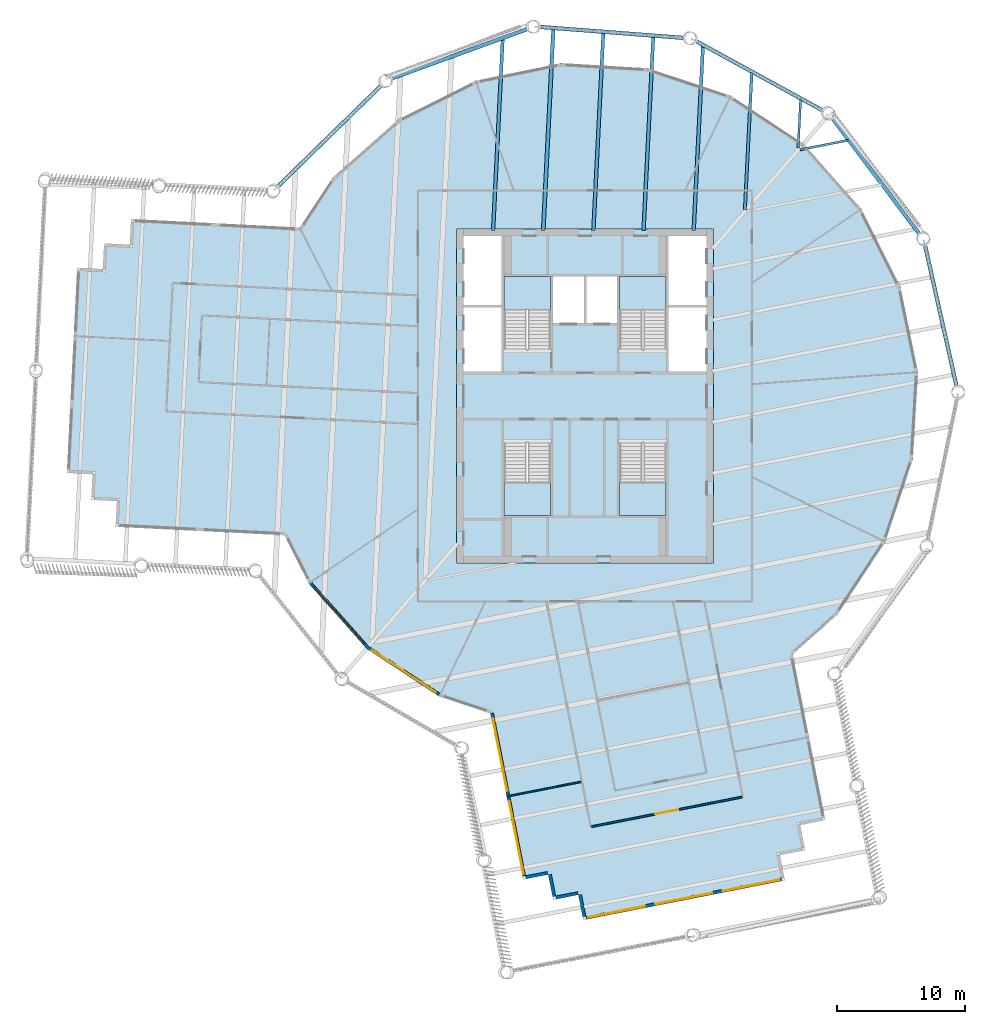
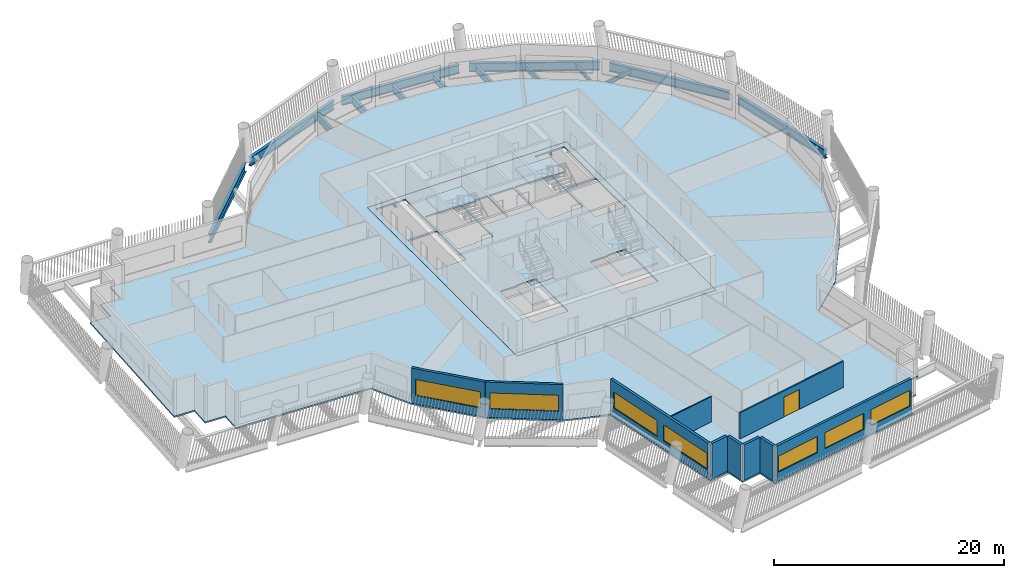
# One storey, part 2 of 14: 14 beams, 10 walls, 7 windows, 6 slabs, 1 door, 8 openings, 4 elements without a shape of their own.
"""IFC4 building model written with IfcOpenShell, lengths in metres."""

import ifcopenshell
import ifcopenshell.guid

model = None  # the IFC model being written
_history = None  # IfcOwnerHistory: only IFC2X3 demands one
_inside = {}  # id of a spatial element -> (the spatial element, [elements in it])
_under = {}  # id of a project, library or spatial element -> (it, [spatial elements below it])
_declared = {}  # id of a project -> (the project, [libraries it declares])
_typed = {}  # id of a type object -> (the type object, [elements of that type])
_made_of = {}  # id of a material, layer set ... -> (it, [elements and type objects made of it])


def new_model(schema):
    """Start an empty IFC model of exactly this schema.

    Asked for "IFC4X3", IfcOpenShell would pick the latest addendum, in which some entities
    have other attributes; the version numbers below select the first issue.
    IFC2X3 requires an IfcOwnerHistory on every rooted entity: one is made here for all.
    """
    global model, _history
    if schema == "IFC4X3":
        model = ifcopenshell.file(schema_version=(4, 3, 0, 0))
    else:
        model = ifcopenshell.file(schema=schema)
    _inside.clear()
    _under.clear()
    _declared.clear()
    _typed.clear()
    _made_of.clear()
    _history = None
    if model.schema == "IFC2X3":
        org = make("IfcOrganization", Name="unknown")
        user = make(
            "IfcPersonAndOrganization",
            ThePerson=make("IfcPerson", FamilyName="unknown"),
            TheOrganization=org,
        )
        app = make(
            "IfcApplication",
            ApplicationDeveloper=org,
            Version="unknown",
            ApplicationFullName="unknown",
            ApplicationIdentifier="unknown",
        )
        _history = make(
            "IfcOwnerHistory",
            OwningUser=user,
            OwningApplication=app,
            ChangeAction="ADDED",
            CreationDate=0,
        )
    return model


def make(cls, **values):
    """One entity of the class cls with the attributes given. An attribute that is None is left unset."""
    return model.create_entity(
        cls, **{name: value for name, value in values.items() if value is not None}
    )


def rooted(cls, **values):
    """An entity with a GlobalId (a new one), such as an element, a storey or a relation."""
    return make(cls, GlobalId=ifcopenshell.guid.new(), OwnerHistory=_history, **values)


def si_unit(unit_type, name, prefix=None):
    """IfcSIUnit, for example si_unit("LENGTHUNIT", "METRE", prefix="MILLI")."""
    return make("IfcSIUnit", UnitType=unit_type, Prefix=prefix, Name=name)


def assignment(units):
    """IfcUnitAssignment: the units of a project."""
    return None if units is None else make("IfcUnitAssignment", Units=units)


def point(xyz):
    """IfcCartesianPoint."""
    return None if xyz is None else make("IfcCartesianPoint", Coordinates=xyz)


def direction(xyz):
    """IfcDirection."""
    return None if xyz is None else make("IfcDirection", DirectionRatios=xyz)


def frame(location, z_axis=None, x_axis=None):
    """IfcAxis2Placement3D, a coordinate frame: its origin and axes. An axis left out is left unset."""
    return make(
        "IfcAxis2Placement3D",
        Location=point(location),
        Axis=direction(z_axis),
        RefDirection=direction(x_axis),
    )


def frame_2d(location, x_axis=None):
    """IfcAxis2Placement2D, a coordinate frame in the plane: its origin and x axis."""
    return make(
        "IfcAxis2Placement2D", Location=point(location), RefDirection=direction(x_axis)
    )


def origin():
    """The frame at (0, 0, 0) with its axes left unset."""
    return frame((0.0, 0.0, 0.0))


def origin_2d():
    """The frame at (0, 0) in the plane with its x axis left unset."""
    return frame_2d((0.0, 0.0))


def place(relative_to, where):
    """IfcLocalPlacement: puts the frame where relative to a parent placement (None: the world)."""
    return make(
        "IfcLocalPlacement", PlacementRelTo=relative_to, RelativePlacement=where
    )


def context(
    kind, dimensions, precision=None, world=None, true_north=None, identifier=None
):
    """IfcGeometricRepresentationContext, for example the 3D "Model" context."""
    return make(
        "IfcGeometricRepresentationContext",
        ContextIdentifier=identifier,
        ContextType=kind,
        CoordinateSpaceDimension=dimensions,
        Precision=precision,
        WorldCoordinateSystem=world,
        TrueNorth=true_north,
    )


def subcontext(parent, identifier, kind, view, scale=None):
    """IfcGeometricRepresentationSubContext, for example "Body" below "Model"."""
    return make(
        "IfcGeometricRepresentationSubContext",
        ContextIdentifier=identifier,
        ContextType=kind,
        ParentContext=parent,
        TargetScale=scale,
        TargetView=view,
    )


def project(units=None, contexts=None):
    """IfcProject with its units and contexts."""
    return rooted(
        "IfcProject",
        Name="project",
        RepresentationContexts=contexts,
        UnitsInContext=assignment(units),
    )


def spatial(cls, under=None, at=None, **own):
    """A site, building, storey or space (cls), placed at a placement, below another one or the project."""
    s = rooted(cls, ObjectPlacement=at, **own)
    if under is not None:
        _under.setdefault(under.id(), (under, []))[1].append(s)
    return s


def polyline(points):
    """IfcPolyline through the points."""
    return make("IfcPolyline", Points=[point(p) for p in points])


def profile(cls, at=None, kind="AREA", **sizes):
    """A parametric profile (cls). Its sizes go by their IFC names, for example OverallWidth=200.0."""
    return make(cls, ProfileType=kind, Position=at, **sizes)


def rectangle(**sizes):
    """IfcRectangleProfileDef."""
    return profile("IfcRectangleProfileDef", **sizes)


def i_section(**sizes):
    """IfcIShapeProfileDef."""
    return profile("IfcIShapeProfileDef", **sizes)


def outline(outer, holes=None, kind="AREA"):
    """IfcArbitraryClosedProfileDef: a profile drawn as a closed curve; with holes, ...WithVoids."""
    if holes is None:
        return make("IfcArbitraryClosedProfileDef", ProfileType=kind, OuterCurve=outer)
    return make(
        "IfcArbitraryProfileDefWithVoids",
        ProfileType=kind,
        OuterCurve=outer,
        InnerCurves=holes,
    )


def extrude(swept, where, along, depth):
    """IfcExtrudedAreaSolid: the profile swept, set in the frame where, extruded along a direction by depth."""
    return make(
        "IfcExtrudedAreaSolid",
        SweptArea=swept,
        Position=where,
        ExtrudedDirection=direction(along),
        Depth=depth,
    )


def shape(context_of_items, identifier, shape_type, items):
    """IfcShapeRepresentation: the items that make up one representation, for example the "Body"."""
    return make(
        "IfcShapeRepresentation",
        ContextOfItems=context_of_items,
        RepresentationIdentifier=identifier,
        RepresentationType=shape_type,
        Items=items,
    )


def material(Name=None, Category=None):
    """IfcMaterial."""
    return make("IfcMaterial", Name=Name, Category=Category)


def layer(
    of_material, thickness, ventilated=None, Name=None, Category=None, Priority=None
):
    """IfcMaterialLayer: one layer of a wall or slab, of a material (None: an air gap)."""
    return make(
        "IfcMaterialLayer",
        Material=of_material,
        LayerThickness=thickness,
        IsVentilated=ventilated,
        Name=Name,
        Category=Category,
        Priority=Priority,
    )


def layer_set(layers, Name=None):
    """IfcMaterialLayerSet."""
    return make("IfcMaterialLayerSet", MaterialLayers=layers, LayerSetName=Name)


def material_profile(
    of_material, cross_section, Name=None, Category=None, Priority=None
):
    """IfcMaterialProfile: a cross section and its material."""
    return make(
        "IfcMaterialProfile",
        Name=Name,
        Material=of_material,
        Profile=cross_section,
        Priority=Priority,
        Category=Category,
    )


def profile_set(profiles, Name=None, composite=None):
    """IfcMaterialProfileSet."""
    return make(
        "IfcMaterialProfileSet",
        Name=Name,
        MaterialProfiles=profiles,
        CompositeProfile=composite,
    )


def made_of(thing, what):
    """Note that an element or type object is made of a material, layer set ...; save() writes the relation."""
    if what is not None:
        _made_of.setdefault(what.id(), (what, []))[1].append(thing)
    return thing


def type_object(cls, material=None, **own):
    """A type object (cls), such as IfcWallType, which elements share."""
    return made_of(rooted(cls, **own), material)


def element(
    cls,
    number,
    at=None,
    inside=None,
    cuts=None,
    type_object=None,
    material=None,
    context=None,
    identifier="Body",
    shape_type=None,
    held_by="IfcProductDefinitionShape",
    body=None,
    shapes=None,
    **own,
):
    """One element of the class cls, such as IfcWall. Its Tag is "e" and its number.

    at: its placement. inside: the storey or other place that contains it. cuts: it is an
    opening in that element (IfcRelVoidsElement). A single representation is given by context,
    identifier, shape_type and body (its items); several are given by shapes. held_by: the class
    of the entity that holds the representations. save() writes the other relations.
    """
    e = rooted(cls, Tag="e%d" % number, ObjectPlacement=at, **own)
    if body is not None:
        shapes = [shape(context, identifier, shape_type, body)]
    if shapes is not None:
        e.Representation = make(held_by, Representations=shapes)
    if inside is not None:
        _inside.setdefault(inside.id(), (inside, []))[1].append(e)
    if cuts is not None:
        rooted(
            "IfcRelVoidsElement", RelatingBuildingElement=cuts, RelatedOpeningElement=e
        )
    if type_object is not None:
        _typed.setdefault(type_object.id(), (type_object, []))[1].append(e)
    return made_of(e, material)


def fill(opening, filler):
    """IfcRelFillsElement: the door or window that sits in an opening."""
    return rooted(
        "IfcRelFillsElement",
        RelatingOpeningElement=opening,
        RelatedBuildingElement=filler,
    )


def aggregate(whole, parts):
    """IfcRelAggregates: a whole, such as a stair, and the parts it consists of."""
    return rooted("IfcRelAggregates", RelatingObject=whole, RelatedObjects=parts)


def save(model, path):
    """Write the relations noted so far, then the file.

    IfcRelAggregates (storeys below a building ...), IfcRelContainedInSpatialStructure (elements
    in a storey), IfcRelDefinesByType, IfcRelAssociatesMaterial and IfcRelDeclares: one each for
    every whole, place, type object, material and project.
    """
    for whole, parts in _under.values():
        aggregate(whole, parts)
    for where, things in _inside.values():
        rooted(
            "IfcRelContainedInSpatialStructure",
            RelatedElements=things,
            RelatingStructure=where,
        )
    for kind, things in _typed.values():
        rooted("IfcRelDefinesByType", RelatedObjects=things, RelatingType=kind)
    for what, things in _made_of.values():
        rooted("IfcRelAssociatesMaterial", RelatedObjects=things, RelatingMaterial=what)
    for by, libraries in _declared.values():
        rooted("IfcRelDeclares", RelatingContext=by, RelatedDefinitions=libraries)
    model.write(path)


model = new_model("IFC4")

# Units and contexts
model_context = context("Model", 3, precision=1e-05, world=origin(), true_north=direction((0.0, 1.0)))
body_context = subcontext(model_context, "Body", "Model", "MODEL_VIEW")
ifc_project = project(units=[si_unit("LENGTHUNIT", "METRE"), si_unit("AREAUNIT", "SQUARE_METRE"), si_unit("VOLUMEUNIT", "CUBIC_METRE"), si_unit("PLANEANGLEUNIT", "RADIAN"), si_unit("MASSUNIT", "GRAM", prefix="KILO")], contexts=[model_context])

# Site, building, storey
site_placement = place(None, origin())
site = spatial("IfcSite", under=ifc_project, at=site_placement, CompositionType="ELEMENT")
building_placement = place(site_placement, origin())
building = spatial("IfcBuilding", under=site, at=building_placement, Name="Tarsis Ring Headquarters", CompositionType="ELEMENT")
storey_placement = place(building_placement, frame((0.0, 0.0, 274.699951171875)))
storey = spatial("IfcBuildingStorey", under=building, at=storey_placement, Name="L64", CompositionType="ELEMENT", Elevation=274.699951171875)

# Beams
ifc_material_1 = material(Name="Structural steel S355", Category="steel")
ifc_material_profile_1 = material_profile(ifc_material_1, i_section(OverallWidth=0.177734375, OverallDepth=0.406494140625, WebThickness=0.0078125, FlangeThickness=0.0126953125, at=origin_2d()), Name="W16x40")
ifc_profile_set_1 = profile_set([ifc_material_profile_1], Name="Structural steel S355")
beam_type_1 = type_object("IfcBeamType", Name="FB Floor beam W16x40", PredefinedType="JOIST", material=ifc_profile_set_1)
for number, where, z_axis, x_axis, name in (
    (1, (16.732421875, 19.187255859375, -0.363037109375), (0.981224325974, 0.192869961674, 0.0), (-0.192869961674, 0.981224325974, 0.0), "Floor beam FB1"),
    (2, (16.7822265625, 23.10986328125, -0.363037109375), (-0.050238421514, -0.998737253237, 0.0), (0.998737253237, -0.050238421514, 0.0), "Floor beam FB1"),
):
    element("IfcBeam", number, at=place(storey_placement, frame(where, z_axis=z_axis, x_axis=x_axis)), inside=storey, type_object=beam_type_1, Name=name, PredefinedType="JOIST", context=body_context, shape_type="SweptSolid", body=[
        extrude(i_section(OverallWidth=0.177734375, OverallDepth=0.406494140625, WebThickness=0.0078125, FlangeThickness=0.0126953125, at=origin_2d()), origin(), (0.0, 0.0, 1.0), 3.80517578125),
    ])
ifc_material_profile_2 = material_profile(ifc_material_1, i_section(OverallWidth=0.228271484375, OverallDepth=0.607177734375, WebThickness=0.01123046875, FlangeThickness=0.017333984375, at=origin_2d()), Name="W24x76")
ifc_profile_set_2 = profile_set([ifc_material_profile_2], Name="Structural steel S355")
beam_type_2 = type_object("IfcBeamType", Name="FB Floor beam W24x76", PredefinedType="JOIST", material=ifc_profile_set_2)
beam_1_placement = place(storey_placement, frame((12.982177734375, 25.191162109375, -0.463623046875), z_axis=(-0.050246455675, -0.998736849071, 0.0), x_axis=(0.998736849071, -0.050246455675, 0.0)))
element("IfcBeam", 3, at=beam_1_placement, inside=storey, type_object=beam_type_2, Name="Floor beam FB4", PredefinedType="JOIST", context=body_context, shape_type="SweptSolid", body=[
    extrude(i_section(OverallWidth=0.228271484375, OverallDepth=0.607177734375, WebThickness=0.01123046875, FlangeThickness=0.017333984375, at=origin_2d()), origin(), (0.0, 0.0, 1.0), 10.6845703125),
])
ifc_material_profile_3 = material_profile(ifc_material_1, i_section(OverallWidth=0.2666015625, OverallDepth=0.7568359375, WebThickness=0.013916015625, FlangeThickness=0.019287109375, at=origin_2d()), Name="W30x108")
ifc_profile_set_3 = profile_set([ifc_material_profile_3], Name="Structural steel S355")
beam_type_3 = type_object("IfcBeamType", Name="FB Floor beam W30x108", PredefinedType="JOIST", material=ifc_profile_set_3)
beam_2_placement = place(storey_placement, frame((9.181884765625, 27.2724609375, -0.538330078125), z_axis=(-0.050251537984, -0.998736593367, 0.0), x_axis=(0.998736593367, -0.050251537984, 0.0)))
element("IfcBeam", 4, at=beam_2_placement, inside=storey, type_object=beam_type_3, Name="Floor beam FB6", PredefinedType="JOIST", context=body_context, shape_type="SweptSolid", body=[
    extrude(i_section(OverallWidth=0.2666015625, OverallDepth=0.7568359375, WebThickness=0.013916015625, FlangeThickness=0.019287109375, at=origin_2d()), origin(), (0.0, 0.0, 1.0), 14.390380859375),
])
beam_3_placement = place(storey_placement, frame((5.314453125, 28.017333984375, -0.538330078125), z_axis=(-0.050243310364, -0.998737007307, 0.0), x_axis=(0.998737007307, -0.050243310364, 0.0)))
element("IfcBeam", 5, at=beam_3_placement, inside=storey, type_object=beam_type_3, Name="Floor beam FB6", PredefinedType="JOIST", context=body_context, shape_type="SweptSolid", body=[
    extrude(i_section(OverallWidth=0.2666015625, OverallDepth=0.7568359375, WebThickness=0.013916015625, FlangeThickness=0.019287109375, at=origin_2d()), origin(), (0.0, 0.0, 1.0), 15.13623046875),
])
beam_4_placement = place(storey_placement, frame((1.42431640625, 28.314208984375, -0.538330078125), z_axis=(-0.050240578618, -0.998737144728, 0.0), x_axis=(0.998737144728, -0.050240578618, 0.0)))
element("IfcBeam", 6, at=beam_4_placement, inside=storey, type_object=beam_type_3, Name="Floor beam FB6", PredefinedType="JOIST", context=body_context, shape_type="SweptSolid", body=[
    extrude(i_section(OverallWidth=0.2666015625, OverallDepth=0.7568359375, WebThickness=0.013916015625, FlangeThickness=0.019287109375, at=origin_2d()), origin(), (0.0, 0.0, 1.0), 15.43359375),
])
beam_5_placement = place(storey_placement, frame((-6.410400390625, 27.81640625, -0.538330078125), z_axis=(-0.050249873895, -0.998736677094, 0.0), x_axis=(0.998736677094, -0.050249873895, 0.0)))
element("IfcBeam", 7, at=beam_5_placement, inside=storey, type_object=beam_type_3, Name="Floor beam FB6", PredefinedType="JOIST", context=body_context, shape_type="SweptSolid", body=[
    extrude(i_section(OverallWidth=0.2666015625, OverallDepth=0.7568359375, WebThickness=0.013916015625, FlangeThickness=0.019287109375, at=origin_2d()), origin(), (0.0, 0.0, 1.0), 14.93505859375),
])
ifc_material_profile_4 = material_profile(ifc_material_1, i_section(OverallWidth=0.2919921875, OverallDepth=0.835693359375, WebThickness=0.013916015625, FlangeThickness=0.018798828125, at=origin_2d()), Name="W33x118")
ifc_profile_set_4 = profile_set([ifc_material_profile_4], Name="Structural steel S355")
beam_type_4 = type_object("IfcBeamType", Name="FB Floor beam W33x118", PredefinedType="JOIST", material=ifc_profile_set_4)
beam_6_placement = place(storey_placement, frame((-2.465576171875, 28.611328125, -0.577880859375), z_axis=(-0.050237171418, -0.998737316119, 0.0), x_axis=(0.998737316119, -0.050237171418, 0.0)))
element("IfcBeam", 8, at=beam_6_placement, inside=storey, type_object=beam_type_4, Name="Floor beam FB7", PredefinedType="JOIST", context=body_context, shape_type="SweptSolid", body=[
    extrude(i_section(OverallWidth=0.2919921875, OverallDepth=0.835693359375, WebThickness=0.013916015625, FlangeThickness=0.018798828125, at=origin_2d()), origin(), (0.0, 0.0, 1.0), 15.73095703125),
])
ifc_material_profile_5 = material_profile(ifc_material_1, i_section(OverallWidth=0.309814453125, OverallDepth=0.93212890625, WebThickness=0.02099609375, FlangeThickness=0.034423828125, at=origin_2d()), Name="W36x210")
ifc_profile_set_5 = profile_set([ifc_material_profile_5], Name="Structural steel S355")
beam_type_5 = type_object("IfcBeamType", Name="XG Ring girder W36x210", PredefinedType="BEAM", material=ifc_profile_set_5)
for number, where, z_axis, x_axis, name in (
    (9, (28.947998046875, 0.666748046875, -0.466064453125), (-0.218259878018, 0.975890683247, 0.0), (-0.975890683247, -0.218259878018, 0.0), "Ring girder XG3"),
    (10, (26.099609375, 12.53955078125, -0.466064453125), (-0.60110914945, 0.799166935282, 0.0), (-0.799166935282, -0.60110914945, 0.0), "Ring girder XG3"),
    (11, (18.610595703125, 22.1826171875, -0.466064453125), (-0.877073581173, 0.480356048374, 0.0), (-0.480356048374, -0.877073581173, 0.0), "Ring girder XG3"),
    (12, (7.8125, 27.881591796875, -0.466064453125), (-0.997096904595, 0.076143042011, 0.0), (-0.076143042011, -0.997096904595, 0.0), "Ring girder XG3"),
    (13, (-4.37451171875, 28.623291015625, -0.466064453125), (-0.939831779838, -0.341637564688, 0.0), (0.341637564688, -0.939831779838, 0.0), "Ring girder XG3"),
    (14, (-15.783935546875, 24.275390625, -0.466064453125), (-0.715468067688, -0.698645435195, 0.0), (0.698645435195, -0.715468067688, 0.0), "Ring girder XG3"),
):
    element("IfcBeam", number, at=place(storey_placement, frame(where, z_axis=z_axis, x_axis=x_axis)), inside=storey, type_object=beam_type_5, Name=name, PredefinedType="BEAM", context=body_context, shape_type="SweptSolid", body=[
        extrude(i_section(OverallWidth=0.309814453125, OverallDepth=0.93212890625, WebThickness=0.02099609375, FlangeThickness=0.034423828125, at=origin_2d()), origin(), (0.0, 0.0, 1.0), 11.33447265625),
    ])

# Slab
ifc_material_2 = material(Name="Concrete C40/50", Category="concrete")
ifc_layer_1 = layer(ifc_material_2, 0.159912109375)
ifc_layer_set_1 = layer_set([ifc_layer_1], Name="Core floor slab 160 C40/50")
slab_type_1 = type_object("IfcSlabType", Name="Core floor slab 160 C40/50", PredefinedType="FLOOR", material=ifc_layer_set_1)
slab_1_placement = place(storey_placement, frame((0.0, 0.0, -0.159912109375)))
element("IfcSlab", 15, at=slab_1_placement, inside=storey, type_object=slab_type_1, Name="L64 core floor slab", PredefinedType="FLOOR", context=body_context, shape_type="SweptSolid", body=[
    extrude(outline(polyline([(-10.0, -13.0), (10.0, -13.0), (10.0, 13.0), (-10.0, 13.0), (-10.0, -13.0)]), holes=[polyline([(-2.5, 5.699951171875), (-0.10009765625, 5.699951171875), (-0.10009765625, 9.300048828125), (-2.5, 9.300048828125), (-2.5, 5.699951171875)]), polyline([(0.10009765625, 5.699951171875), (2.5, 5.699951171875), (2.5, 9.300048828125), (0.10009765625, 9.300048828125), (0.10009765625, 5.699951171875)]), polyline([(-9.449951171875, 1.89990234375), (-6.5, 1.89990234375), (-6.5, 6.89990234375), (-9.449951171875, 6.89990234375), (-9.449951171875, 1.89990234375)]), polyline([(-9.449951171875, 7.10009765625), (-6.5, 7.10009765625), (-6.5, 12.449951171875), (-9.449951171875, 12.449951171875), (-9.449951171875, 7.10009765625)]), polyline([(6.5, 1.89990234375), (9.449951171875, 1.89990234375), (9.449951171875, 6.89990234375), (6.5, 6.89990234375), (6.5, 1.89990234375)]), polyline([(6.5, 7.10009765625), (9.449951171875, 7.10009765625), (9.449951171875, 12.449951171875), (6.5, 12.449951171875), (6.5, 7.10009765625)]), polyline([(-2.699951171875, 3.760009765625), (-2.699951171875, 9.300048828125), (-6.300048828125, 9.300048828125), (-6.300048828125, 3.659912109375), (-4.4599609375, 3.659912109375), (-4.4599609375, 3.760009765625), (-2.699951171875, 3.760009765625)]), polyline([(6.300048828125, 3.760009765625), (6.300048828125, 9.300048828125), (2.699951171875, 9.300048828125), (2.699951171875, 3.659912109375), (4.5400390625, 3.659912109375), (4.5400390625, 3.760009765625), (6.300048828125, 3.760009765625)]), polyline([(-6.300048828125, -3.760009765625), (-6.300048828125, -9.300048828125), (-2.699951171875, -9.300048828125), (-2.699951171875, -3.659912109375), (-4.5400390625, -3.659912109375), (-4.5400390625, -3.760009765625), (-6.300048828125, -3.760009765625)]), polyline([(2.699951171875, -3.760009765625), (2.699951171875, -9.300048828125), (6.300048828125, -9.300048828125), (6.300048828125, -3.659912109375), (4.4599609375, -3.659912109375), (4.4599609375, -3.760009765625), (2.699951171875, -3.760009765625)])]), origin(), (0.0, 0.0, 1.0), 0.159912109375),
])

# Stair, slab
ifc_material_3 = material(Name="Core stair 1760")
stair_type = type_object("IfcStairType", Name="Core stair 1760", PredefinedType="HALF_TURN_STAIR", material=ifc_material_3)
stair_1_placement = place(storey_placement, origin())
stair_1 = element("IfcStair", 16, at=stair_1_placement, inside=storey, type_object=stair_type, Name="L64 Firefighting stair", PredefinedType="HALF_TURN_STAIR")
ifc_layer_2 = layer(ifc_material_2, 0.199951171875)
ifc_layer_set_2 = layer_set([ifc_layer_2], Name="Core stair landing 200")
slab_type_2 = type_object("IfcSlabType", Name="Core stair landing 200", PredefinedType="LANDING", material=ifc_layer_set_2)
slab_2_placement = place(storey_placement, frame((0.0, 0.0, 1.75)))
slab_2 = element("IfcSlab", 17, at=slab_2_placement, type_object=slab_type_2, Name="Stair ST1 landing 1", PredefinedType="LANDING", context=body_context, shape_type="SweptSolid", body=[
    extrude(outline(polyline([(-2.699951171875, 6.739990234375), (-2.699951171875, 9.300048828125), (-6.300048828125, 9.300048828125), (-6.300048828125, 6.739990234375), (-2.699951171875, 6.739990234375)])), origin(), (0.0, 0.0, 1.0), 0.199951171875),
])
aggregate(stair_1, [slab_2])

stair_2_placement = place(storey_placement, origin())
stair_2 = element("IfcStair", 18, at=stair_2_placement, inside=storey, type_object=stair_type, Name="L64 Exit stair B", PredefinedType="HALF_TURN_STAIR")
slab_3_placement = place(storey_placement, frame((0.0, 0.0, 1.75)))
slab_3 = element("IfcSlab", 19, at=slab_3_placement, type_object=slab_type_2, Name="Stair ST2 landing 1", PredefinedType="LANDING", context=body_context, shape_type="SweptSolid", body=[
    extrude(outline(polyline([(6.300048828125, 6.739990234375), (6.300048828125, 9.300048828125), (2.699951171875, 9.300048828125), (2.699951171875, 6.739990234375), (6.300048828125, 6.739990234375)])), origin(), (0.0, 0.0, 1.0), 0.199951171875),
])
aggregate(stair_2, [slab_3])

stair_3_placement = place(storey_placement, origin())
stair_3 = element("IfcStair", 20, at=stair_3_placement, inside=storey, type_object=stair_type, Name="L64 Exit stair C", PredefinedType="HALF_TURN_STAIR")
slab_4_placement = place(storey_placement, frame((0.0, 0.0, 1.75)))
slab_4 = element("IfcSlab", 21, at=slab_4_placement, type_object=slab_type_2, Name="Stair ST3 landing 1", PredefinedType="LANDING", context=body_context, shape_type="SweptSolid", body=[
    extrude(outline(polyline([(-6.300048828125, -6.739990234375), (-6.300048828125, -9.300048828125), (-2.699951171875, -9.300048828125), (-2.699951171875, -6.739990234375), (-6.300048828125, -6.739990234375)])), origin(), (0.0, 0.0, 1.0), 0.199951171875),
])
aggregate(stair_3, [slab_4])

stair_4_placement = place(storey_placement, origin())
stair_4 = element("IfcStair", 22, at=stair_4_placement, inside=storey, type_object=stair_type, Name="L64 Exit stair D", PredefinedType="HALF_TURN_STAIR")
slab_5_placement = place(storey_placement, frame((0.0, 0.0, 1.75)))
slab_5 = element("IfcSlab", 23, at=slab_5_placement, type_object=slab_type_2, Name="Stair ST4 landing 1", PredefinedType="LANDING", context=body_context, shape_type="SweptSolid", body=[
    extrude(outline(polyline([(2.699951171875, -6.739990234375), (2.699951171875, -9.300048828125), (6.300048828125, -9.300048828125), (6.300048828125, -6.739990234375), (2.699951171875, -6.739990234375)])), origin(), (0.0, 0.0, 1.0), 0.199951171875),
])
aggregate(stair_4, [slab_5])

# Slab
ifc_material_4 = material(Name="Concrete C35/45", Category="concrete")
ifc_layer_3 = layer(ifc_material_4, 0.159912109375)
ifc_layer_set_3 = layer_set([ifc_layer_3], Name="FS Composite floor slab 160")
slab_type_3 = type_object("IfcSlabType", Name="FS Composite floor slab 160", PredefinedType="FLOOR", material=ifc_layer_set_3)
slab_6_placement = place(storey_placement, frame((0.0, 0.0, -0.159912109375)))
element("IfcSlab", 24, at=slab_6_placement, inside=storey, type_object=slab_type_3, Name="Floor slab L64", PredefinedType="FLOOR", context=body_context, shape_type="SweptSolid", body=[
    extrude(outline(polyline([(-23.402099609375, -10.837890625), (-21.5244140625, -14.584228515625), (-17.016357421875, -19.658203125), (-11.3486328125, -23.392578125), (-7.3720703125, -24.7138671875), (-4.83154296875, -37.638427734375), (-2.869140625, -37.252685546875), (-2.4833984375, -39.21533203125), (-0.52099609375, -38.82958984375), (-0.13525390625, -40.7919921875), (15.564453125, -37.7060546875), (15.1787109375, -35.74365234375), (17.14111328125, -35.35791015625), (16.75537109375, -33.3955078125), (18.7177734375, -33.009765625), (16.181396484375, -20.10546875), (19.658203125, -17.016357421875), (23.392578125, -11.3486328125), (25.53271484375, -4.907470703125), (25.932861328125, 1.867919921875), (24.565673828125, 8.516357421875), (21.5244140625, 14.584228515625), (17.016357421875, 19.658203125), (11.3486328125, 23.392578125), (4.907470703125, 25.53271484375), (-1.867919921875, 25.932861328125), (-8.516357421875, 24.565673828125), (-14.584228515625, 21.5244140625), (-19.658203125, 17.016357421875), (-22.216796875, 13.1328125), (-35.3515625, 13.793701171875), (-35.4521484375, 11.796142578125), (-37.449462890625, 11.896728515625), (-37.550048828125, 9.899169921875), (-39.547607421875, 9.999755859375), (-40.351318359375, -5.980224609375), (-38.35400390625, -6.08056640625), (-38.454345703125, -8.078125), (-36.45703125, -8.178466796875), (-36.557373046875, -10.176025390625), (-23.402099609375, -10.837890625)]), holes=[polyline([(-10.0, -13.0), (-10.0, 13.0), (10.0, 13.0), (10.0, -13.0), (-10.0, -13.0)])]), origin(), (0.0, 0.0, 1.0), 0.159912109375),
])

# Wall
ifc_material_5 = material(Name="Gypsum board on steel studs", Category="steel")
ifc_layer_4 = layer(ifc_material_5, 0.10009765625)
ifc_layer_set_4 = layer_set([ifc_layer_4], Name="FL partition 100 unrated")
wall_type_1 = type_object("IfcWallType", Name="FL partition 100 unrated", PredefinedType="PARTITIONING", material=ifc_layer_set_4)
wall_1_placement = place(storey_placement, frame((-6.053466796875, -31.16259765625, 0.0), z_axis=(0.0, 0.0, 1.0), x_axis=(0.981220620875, 0.192888810381, 0.0)))
element("IfcWall", 25, at=wall_1_placement, inside=storey, type_object=wall_type_1, Name="Partition PW3", PredefinedType="PARTITIONING", context=body_context, shape_type="SweptSolid", body=[
    extrude(rectangle(XDim=5.85009765625, YDim=0.10009765625, at=frame_2d((2.925048828125, 0.0))), origin(), (0.0, 0.0, 1.0), 2.699951171875),
])

# Wall, opening, door
ifc_layer_5 = layer(ifc_material_5, 0.125)
ifc_layer_set_5 = layer_set([ifc_layer_5], Name="FL partition 125 EI 60 H2770")
wall_type_2 = type_object("IfcWallType", Name="FL partition 125 EI 60 H2770", PredefinedType="PARTITIONING", material=ifc_layer_set_5)
wall_2_placement = place(storey_placement, frame((0.504638671875, -33.52197265625, 0.0), z_axis=(0.0, 0.0, 1.0), x_axis=(0.981226439245, 0.192859210114, 0.0)))
wall_2 = element("IfcWall", 26, at=wall_2_placement, inside=storey, type_object=wall_type_2, Name="Partition PW1", PredefinedType="PARTITIONING", context=body_context, shape_type="SweptSolid", body=[
    extrude(rectangle(XDim=11.93994140625, YDim=0.125, at=frame_2d((5.969970703125, 0.0))), origin(), (0.0, 0.0, 1.0), 2.77001953125),
])
opening_1_placement = place(wall_2_placement, frame((5.070068359375, 0.0, 0.0)))
opening_1 = element("IfcOpeningElement", 27, at=opening_1_placement, cuts=wall_2, Name="Opening D64.09", PredefinedType="OPENING", context=body_context, shape_type="SweptSolid", body=[
    extrude(rectangle(XDim=1.800048828125, YDim=2.10009765625, at=frame_2d((0.89990234375, 1.050048828125))), frame((0.0, 0.072509765625, 0.0), z_axis=(0.0, -1.0, 0.0), x_axis=(1.0, 0.0, 0.0)), (0.0, 0.0, 1.0), 0.14501953125),
])
ifc_material_6 = material(Name="Fire-rated timber door leaf in steel frame", Category="steel")
door_type = type_object("IfcDoorType", Name="FL door FD60-1800", OperationType="DOUBLE_DOOR_SINGLE_SWING", PredefinedType="DOOR", material=ifc_material_6)
door_placement = place(opening_1_placement, origin())
door = element("IfcDoor", 28, at=door_placement, inside=storey, type_object=door_type, Name="Door D64.09", OperationType="DOUBLE_DOOR_SINGLE_SWING", OverallHeight=2.10009765625, OverallWidth=1.800048828125, PredefinedType="DOOR", context=body_context, shape_type="SweptSolid", body=[
    extrude(rectangle(XDim=1.800048828125, YDim=2.10009765625, at=frame_2d((0.89990234375, 1.050048828125))), frame((0.0, 0.02490234375, 0.0), z_axis=(0.0, -1.0, 0.0), x_axis=(1.0, 0.0, 0.0)), (0.0, 0.0, 1.0), 0.050048828125),
])
fill(opening_1, door)

# Wall, opening, window
ifc_material_7 = material(Name="Terracotta clad insulated panel wall", Category="masonry")
ifc_layer_6 = layer(ifc_material_7, 0.25)
ifc_layer_set_6 = layer_set([ifc_layer_6], Name="Facade wall terracotta panel 250")
wall_type_3 = type_object("IfcWallType", Name="Facade wall terracotta panel 250", PredefinedType="STANDARD", material=ifc_layer_set_6)
wall_3_placement = place(storey_placement, frame((-21.4091796875, -14.525634765625, 0.0), z_axis=(0.0, 0.0, 1.0), x_axis=(0.664178953483, -0.747573620288, 0.0)))
wall_3 = element("IfcWall", 29, at=wall_3_placement, inside=storey, type_object=wall_type_3, Name="External wall L64-03", PredefinedType="STANDARD", context=body_context, shape_type="SweptSolid", body=[
    extrude(rectangle(XDim=6.7216796875, YDim=0.25, at=frame_2d((3.36083984375, 0.0))), origin(), (0.0, 0.0, 1.0), 3.739990234375),
])
opening_2_placement = place(wall_3_placement, frame((0.3857421875, 0.0, 0.89990234375)))
opening_2 = element("IfcOpeningElement", 30, at=opening_2_placement, cuts=wall_3, Name="Opening WN07", PredefinedType="OPENING", context=body_context, shape_type="SweptSolid", body=[
    extrude(rectangle(XDim=5.949951171875, YDim=1.699951171875, at=frame_2d((2.97509765625, 0.85009765625))), frame((0.0, 0.135009765625, 0.0), z_axis=(0.0, -1.0, 0.0), x_axis=(1.0, 0.0, 0.0)), (0.0, 0.0, 1.0), 0.27001953125),
])
ifc_material_8 = material(Name="Aluminium framed double glazing", Category="aluminium")
window_type_1 = type_object("IfcWindowType", Name="Facade window 5950 x 1700", PartitioningType="SINGLE_PANEL", PredefinedType="WINDOW", material=ifc_material_8)
window_1_placement = place(opening_2_placement, origin())
window_1 = element("IfcWindow", 31, at=window_1_placement, inside=storey, type_object=window_type_1, Name="Window L64-03.1", OverallHeight=1.699951171875, OverallWidth=5.949951171875, PartitioningType="SINGLE_PANEL", PredefinedType="WINDOW", context=body_context, shape_type="SweptSolid", body=[
    extrude(rectangle(XDim=5.949951171875, YDim=1.699951171875, at=frame_2d((2.97509765625, 0.85009765625))), frame((0.0, 0.030029296875, 0.0), z_axis=(0.0, -1.0, 0.0), x_axis=(1.0, 0.0, 0.0)), (0.0, 0.0, 1.0), 0.06005859375),
])
fill(opening_2, window_1)

wall_4_placement = place(storey_placement, frame((-16.920166015625, -19.57177734375, 0.0), z_axis=(0.0, 0.0, 1.0), x_axis=(0.83503329895, -0.550199408982, 0.0)))
wall_4 = element("IfcWall", 32, at=wall_4_placement, inside=storey, type_object=wall_type_3, Name="External wall L64-04", PredefinedType="STANDARD", context=body_context, shape_type="SweptSolid", body=[
    extrude(rectangle(XDim=6.7216796875, YDim=0.25, at=frame_2d((3.36083984375, 0.0))), origin(), (0.0, 0.0, 1.0), 3.739990234375),
])
opening_3_placement = place(wall_4_placement, frame((0.3857421875, 0.0, 0.89990234375)))
opening_3 = element("IfcOpeningElement", 33, at=opening_3_placement, cuts=wall_4, Name="Opening WN07", PredefinedType="OPENING", context=body_context, shape_type="SweptSolid", body=[
    extrude(rectangle(XDim=5.949951171875, YDim=1.699951171875, at=frame_2d((2.97509765625, 0.85009765625))), frame((0.0, 0.135009765625, 0.0), z_axis=(0.0, -1.0, 0.0), x_axis=(1.0, 0.0, 0.0)), (0.0, 0.0, 1.0), 0.27001953125),
])
window_2_placement = place(opening_3_placement, origin())
window_2 = element("IfcWindow", 34, at=window_2_placement, inside=storey, type_object=window_type_1, Name="Window L64-04.1", OverallHeight=1.699951171875, OverallWidth=5.949951171875, PartitioningType="SINGLE_PANEL", PredefinedType="WINDOW", context=body_context, shape_type="SweptSolid", body=[
    extrude(rectangle(XDim=5.949951171875, YDim=1.699951171875, at=frame_2d((2.97509765625, 0.85009765625))), frame((0.0, 0.030029296875, 0.0), z_axis=(0.0, -1.0, 0.0), x_axis=(1.0, 0.0, 0.0)), (0.0, 0.0, 1.0), 0.06005859375),
])
fill(opening_3, window_2)

# Wall, openings, windows
wall_5_placement = place(storey_placement, frame((-7.249267578125, -24.689697265625, 0.0), z_axis=(0.0, 0.0, 1.0), x_axis=(0.192863222145, -0.981225650676, 0.0)))
wall_5 = element("IfcWall", 35, at=wall_5_placement, inside=storey, type_object=wall_type_3, Name="External wall L64-06", PredefinedType="STANDARD", context=body_context, shape_type="SweptSolid", body=[
    extrude(rectangle(XDim=12.922119140625, YDim=0.25, at=frame_2d((6.4609375, 0.0))), origin(), (0.0, 0.0, 1.0), 3.739990234375),
])
opening_4_placement = place(wall_5_placement, frame((0.41796875, 0.0, 0.89990234375)))
opening_4 = element("IfcOpeningElement", 36, at=opening_4_placement, cuts=wall_5, Name="Opening WN06", PredefinedType="OPENING", context=body_context, shape_type="SweptSolid", body=[
    extrude(rectangle(XDim=5.75, YDim=1.699951171875, at=frame_2d((2.875, 0.85009765625))), frame((0.0, 0.135009765625, 0.0), z_axis=(0.0, -1.0, 0.0), x_axis=(1.0, 0.0, 0.0)), (0.0, 0.0, 1.0), 0.27001953125),
])
opening_5_placement = place(wall_5_placement, frame((7.00390625, 0.0, 0.89990234375)))
opening_5 = element("IfcOpeningElement", 37, at=opening_5_placement, cuts=wall_5, Name="Opening WN06", PredefinedType="OPENING", context=body_context, shape_type="SweptSolid", body=[
    extrude(rectangle(XDim=5.75, YDim=1.699951171875, at=frame_2d((2.875, 0.85009765625))), frame((0.0, 0.135009765625, 0.0), z_axis=(0.0, -1.0, 0.0), x_axis=(1.0, 0.0, 0.0)), (0.0, 0.0, 1.0), 0.27001953125),
])
window_type_2 = type_object("IfcWindowType", Name="Facade window 5750 x 1700", PartitioningType="SINGLE_PANEL", PredefinedType="WINDOW", material=ifc_material_8)
window_3_placement = place(opening_4_placement, origin())
window_3 = element("IfcWindow", 38, at=window_3_placement, inside=storey, type_object=window_type_2, Name="Window L64-06.1", OverallHeight=1.699951171875, OverallWidth=5.75, PartitioningType="SINGLE_PANEL", PredefinedType="WINDOW", context=body_context, shape_type="SweptSolid", body=[
    extrude(rectangle(XDim=5.75, YDim=1.699951171875, at=frame_2d((2.875, 0.85009765625))), frame((0.0, 0.030029296875, 0.0), z_axis=(0.0, -1.0, 0.0), x_axis=(1.0, 0.0, 0.0)), (0.0, 0.0, 1.0), 0.06005859375),
])
fill(opening_4, window_3)
window_4_placement = place(opening_5_placement, origin())
window_4 = element("IfcWindow", 39, at=window_4_placement, inside=storey, type_object=window_type_2, Name="Window L64-06.2", OverallHeight=1.699951171875, OverallWidth=5.75, PartitioningType="SINGLE_PANEL", PredefinedType="WINDOW", context=body_context, shape_type="SweptSolid", body=[
    extrude(rectangle(XDim=5.75, YDim=1.699951171875, at=frame_2d((2.875, 0.85009765625))), frame((0.0, 0.030029296875, 0.0), z_axis=(0.0, -1.0, 0.0), x_axis=(1.0, 0.0, 0.0)), (0.0, 0.0, 1.0), 0.06005859375),
])
fill(opening_5, window_4)

# Walls
wall_6_placement = place(storey_placement, frame((-4.6103515625, -37.467529296875, 0.0), z_axis=(0.0, 0.0, 1.0), x_axis=(0.981235153188, 0.192814870142, 0.0)))
element("IfcWall", 40, at=wall_6_placement, inside=storey, type_object=wall_type_3, Name="External wall L64-07", PredefinedType="STANDARD", context=body_context, shape_type="SweptSolid", body=[
    extrude(rectangle(XDim=1.749755859375, YDim=0.25, at=frame_2d((0.875, 0.0))), origin(), (0.0, 0.0, 1.0), 3.739990234375),
])
for number, where, z_axis, x_axis, name in (
    (41, (-2.74658203125, -37.228759765625, 0.0), (0.0, 0.0, 1.0), (0.192949196472, -0.981208748219, 0.0), "External wall L64-08"),
    (42, (-2.26220703125, -39.04443359375, 0.0), (0.0, 0.0, 1.0), (0.981208748219, 0.192949196472, 0.0), "External wall L64-09"),
):
    element("IfcWall", number, at=place(storey_placement, frame(where, z_axis=z_axis, x_axis=x_axis)), inside=storey, type_object=wall_type_3, Name=name, PredefinedType="STANDARD", context=body_context, shape_type="SweptSolid", body=[
        extrude(rectangle(XDim=1.75, YDim=0.25, at=frame_2d((0.875, 0.0))), origin(), (0.0, 0.0, 1.0), 3.739990234375),
    ])
wall_7_placement = place(storey_placement, frame((-0.398193359375, -38.805419921875, 0.0), z_axis=(0.0, 0.0, 1.0), x_axis=(0.192814870142, -0.981235153188, 0.0)))
element("IfcWall", 43, at=wall_7_placement, inside=storey, type_object=wall_type_3, Name="External wall L64-10", PredefinedType="STANDARD", context=body_context, shape_type="SweptSolid", body=[
    extrude(rectangle(XDim=1.749755859375, YDim=0.25, at=frame_2d((0.875, 0.0))), origin(), (0.0, 0.0, 1.0), 3.739990234375),
])

# Wall, openings, windows
wall_8_placement = place(storey_placement, frame((0.0859375, -40.62109375, 0.0), z_axis=(0.0, 0.0, 1.0), x_axis=(0.981224129303, 0.192870962234, 0.0)))
wall_8 = element("IfcWall", 44, at=wall_8_placement, inside=storey, type_object=wall_type_3, Name="External wall L64-11", PredefinedType="STANDARD", context=body_context, shape_type="SweptSolid", body=[
    extrude(rectangle(XDim=15.5, YDim=0.25, at=frame_2d((7.75, 0.0))), origin(), (0.0, 0.0, 1.0), 3.739990234375),
])
opening_6_placement = place(wall_8_placement, frame((0.166748046875, 0.0, 0.89990234375)))
opening_6 = element("IfcOpeningElement", 45, at=opening_6_placement, cuts=wall_8, Name="Opening WN04", PredefinedType="OPENING", context=body_context, shape_type="SweptSolid", body=[
    extrude(rectangle(XDim=4.5, YDim=1.699951171875, at=frame_2d((2.25, 0.85009765625))), frame((0.0, 0.135009765625, 0.0), z_axis=(0.0, -1.0, 0.0), x_axis=(1.0, 0.0, 0.0)), (0.0, 0.0, 1.0), 0.27001953125),
])
opening_7_placement = place(wall_8_placement, frame((5.5, 0.0, 0.89990234375)))
opening_7 = element("IfcOpeningElement", 46, at=opening_7_placement, cuts=wall_8, Name="Opening WN04", PredefinedType="OPENING", context=body_context, shape_type="SweptSolid", body=[
    extrude(rectangle(XDim=4.5, YDim=1.699951171875, at=frame_2d((2.25, 0.85009765625))), frame((0.0, 0.135009765625, 0.0), z_axis=(0.0, -1.0, 0.0), x_axis=(1.0, 0.0, 0.0)), (0.0, 0.0, 1.0), 0.27001953125),
])
opening_8_placement = place(wall_8_placement, frame((10.833251953125, 0.0, 0.89990234375)))
opening_8 = element("IfcOpeningElement", 47, at=opening_8_placement, cuts=wall_8, Name="Opening WN04", PredefinedType="OPENING", context=body_context, shape_type="SweptSolid", body=[
    extrude(rectangle(XDim=4.5, YDim=1.699951171875, at=frame_2d((2.25, 0.85009765625))), frame((0.0, 0.135009765625, 0.0), z_axis=(0.0, -1.0, 0.0), x_axis=(1.0, 0.0, 0.0)), (0.0, 0.0, 1.0), 0.27001953125),
])
window_type_3 = type_object("IfcWindowType", Name="Facade window 4500 x 1700", PartitioningType="SINGLE_PANEL", PredefinedType="WINDOW", material=ifc_material_8)
window_5_placement = place(opening_6_placement, origin())
window_5 = element("IfcWindow", 48, at=window_5_placement, inside=storey, type_object=window_type_3, Name="Window L64-11.1", OverallHeight=1.699951171875, OverallWidth=4.5, PartitioningType="SINGLE_PANEL", PredefinedType="WINDOW", context=body_context, shape_type="SweptSolid", body=[
    extrude(rectangle(XDim=4.5, YDim=1.699951171875, at=frame_2d((2.25, 0.85009765625))), frame((0.0, 0.030029296875, 0.0), z_axis=(0.0, -1.0, 0.0), x_axis=(1.0, 0.0, 0.0)), (0.0, 0.0, 1.0), 0.06005859375),
])
fill(opening_6, window_5)
window_6_placement = place(opening_7_placement, origin())
window_6 = element("IfcWindow", 49, at=window_6_placement, inside=storey, type_object=window_type_3, Name="Window L64-11.2", OverallHeight=1.699951171875, OverallWidth=4.5, PartitioningType="SINGLE_PANEL", PredefinedType="WINDOW", context=body_context, shape_type="SweptSolid", body=[
    extrude(rectangle(XDim=4.5, YDim=1.699951171875, at=frame_2d((2.25, 0.85009765625))), frame((0.0, 0.030029296875, 0.0), z_axis=(0.0, -1.0, 0.0), x_axis=(1.0, 0.0, 0.0)), (0.0, 0.0, 1.0), 0.06005859375),
])
fill(opening_7, window_6)
window_7_placement = place(opening_8_placement, origin())
window_7 = element("IfcWindow", 50, at=window_7_placement, inside=storey, type_object=window_type_3, Name="Window L64-11.3", OverallHeight=1.699951171875, OverallWidth=4.5, PartitioningType="SINGLE_PANEL", PredefinedType="WINDOW", context=body_context, shape_type="SweptSolid", body=[
    extrude(rectangle(XDim=4.5, YDim=1.699951171875, at=frame_2d((2.25, 0.85009765625))), frame((0.0, 0.030029296875, 0.0), z_axis=(0.0, -1.0, 0.0), x_axis=(1.0, 0.0, 0.0)), (0.0, 0.0, 1.0), 0.06005859375),
])
fill(opening_8, window_7)

save(model, "model.ifc")
